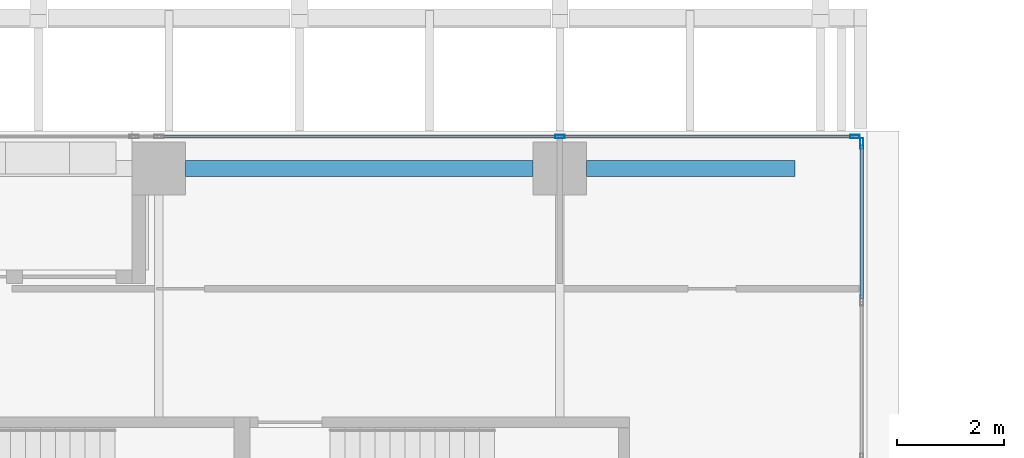
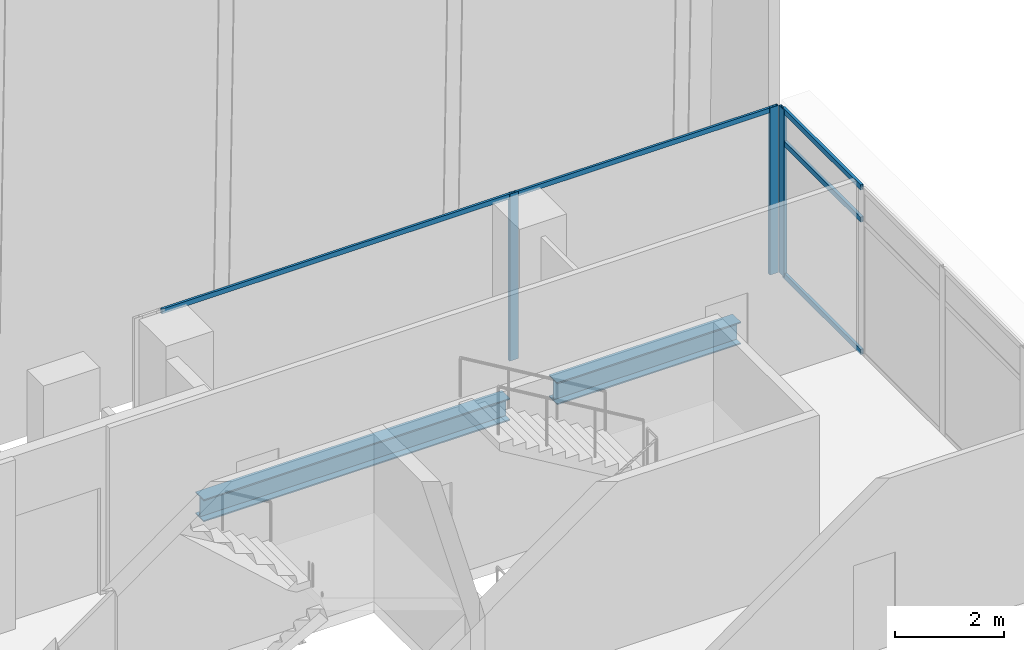
# One storey, part 22 of 40: 8 members, 2 beams, 2 elements without a shape of their own.
"""IFC4 building model written with IfcOpenShell, lengths in metres."""

from ifc_helpers import new_model, si_unit, direction, frame, origin, origin_2d, place, context, subcontext, project, spatial, hollow_rectangle, i_section, extrude, source, transform, mapped, material, material_profile, profile_set, type_object, element, aggregate, save


model = new_model("IFC4")

# Units and contexts
model_context = context("Model", 3, precision=1e-05, world=origin(), true_north=direction((0.0, 1.0)))
body_context = subcontext(model_context, "Body", "Model", "MODEL_VIEW")
ifc_project = project(units=[si_unit("LENGTHUNIT", "METRE"), si_unit("AREAUNIT", "SQUARE_METRE"), si_unit("VOLUMEUNIT", "CUBIC_METRE"), si_unit("PLANEANGLEUNIT", "RADIAN"), si_unit("MASSUNIT", "GRAM", prefix="KILO")], contexts=[model_context])

# Site, building, storey
site_placement = place(None, origin())
site = spatial("IfcSite", under=ifc_project, at=site_placement, CompositionType="ELEMENT")
building_placement = place(site_placement, origin())
building = spatial("IfcBuilding", under=site, at=building_placement, Name="Khomas Fold Tower", CompositionType="ELEMENT")
storey_placement = place(building_placement, frame((0.0, 0.0, 176.699951171875)))
storey = spatial("IfcBuildingStorey", under=building, at=storey_placement, Name="L38", CompositionType="ELEMENT", Elevation=176.699951171875)

# Beams
ifc_material_1 = material(Name="Steel S355", Category="steel")
ifc_material_profile_1 = material_profile(ifc_material_1, i_section(OverallWidth=0.300048828125, OverallDepth=0.5, WebThickness=0.014404296875, FlangeThickness=0.028076171875, at=origin_2d()), Name="HE 500 B")
ifc_profile_set_1 = profile_set([ifc_material_profile_1], Name="Steel S355")
beam_type = type_object("IfcBeamType", Name="HE 500 B spandrel SB3", PredefinedType="SPANDREL", material=ifc_profile_set_1)
shared_shape_1 = source(origin(), body_context, "Body", "SweptSolid", [
    extrude(i_section(OverallWidth=0.300048828125, OverallDepth=0.5, WebThickness=0.014404296875, FlangeThickness=0.028076171875, at=origin_2d()), origin(), (0.0, 0.0, 1.0), 6.5),
])
beam_1_placement = place(storey_placement, frame((20.0, 50.300048828125, -0.5), z_axis=(1.0, 0.0, 0.0), x_axis=(0.0, 1.0, 0.0)))
element("IfcBeam", 1, at=beam_1_placement, inside=storey, type_object=beam_type, Name="SB3", PredefinedType="SPANDREL", context=body_context, shape_type="MappedRepresentation", body=[
    mapped(shared_shape_1, transform((0.0, 0.0, 0.0))),
])
shared_shape_2 = source(origin(), body_context, "Body", "SweptSolid", [
    extrude(i_section(OverallWidth=0.300048828125, OverallDepth=0.5, WebThickness=0.014404296875, FlangeThickness=0.028076171875, at=origin_2d()), origin(), (0.0, 0.0, 1.0), 3.89990234375),
])
beam_2_placement = place(storey_placement, frame((27.5, 50.300048828125, -0.5), z_axis=(1.0, 0.0, 0.0), x_axis=(0.0, 1.0, 0.0)))
element("IfcBeam", 2, at=beam_2_placement, inside=storey, type_object=beam_type, Name="SB3", PredefinedType="SPANDREL", context=body_context, shape_type="MappedRepresentation", body=[
    mapped(shared_shape_2, transform((0.0, 0.0, 0.0))),
])

# Curtain wall, members
ifc_material_2 = material(Name="Aluminium framed double glazing", Category="aluminium")
curtain_wall_type_1 = type_object("IfcCurtainWallType", Name="SK-Unitised clear-glass wall, office floors CW2", PredefinedType="NOTDEFINED", material=ifc_material_2)
curtain_wall_1_placement = place(storey_placement, origin())
curtain_wall_1 = element("IfcCurtainWall", 3, at=curtain_wall_1_placement, inside=storey, type_object=curtain_wall_type_1, Name="CW2 run L38 15-0", PredefinedType="NOTDEFINED")
ifc_material_3 = material(Name="Aluminium", Category="aluminium")
ifc_material_profile_2 = material_profile(ifc_material_3, hollow_rectangle(XDim=0.06005859375, YDim=0.179931640625, WallThickness=0.00390625, at=origin_2d()), Name="SK-Unitised clear-glass wall, office floors mullion CW2-M")
ifc_profile_set_2 = profile_set([ifc_material_profile_2], Name="Aluminium")
member_type_1 = type_object("IfcMemberType", Name="SK-Unitised clear-glass wall, office floors mullion CW2-M", PredefinedType="MULLION", material=ifc_profile_set_2)
shared_shape_3 = source(origin(), body_context, "Body", "SweptSolid", [
    extrude(hollow_rectangle(XDim=0.06005859375, YDim=0.179931640625, WallThickness=0.00390625, at=origin_2d()), origin(), (0.0, 0.0, 1.0), 3.75),
])
member_1_placement = place(storey_placement, frame((32.52001953125, 50.89990234375, 0.0), z_axis=(0.0, 0.0, 1.0), x_axis=(0.0, -1.0, 0.0)))
member_1 = element("IfcMember", 4, at=member_1_placement, type_object=member_type_1, Name="CW2 mullion 1", PredefinedType="MULLION", context=body_context, shape_type="MappedRepresentation", body=[
    mapped(shared_shape_3, transform((0.0, 0.0, 0.0))),
])
member_2_placement = place(storey_placement, frame((27.0, 50.89990234375, 0.0), z_axis=(0.0, 0.0, 1.0), x_axis=(0.0, -1.0, 0.0)))
member_2 = element("IfcMember", 5, at=member_2_placement, type_object=member_type_1, Name="CW2 mullion 2", PredefinedType="MULLION", context=body_context, shape_type="MappedRepresentation", body=[
    mapped(shared_shape_3, transform((0.0, 0.0, 0.0))),
])
ifc_material_4 = material(Name="Aluminium", Category="aluminium")
ifc_material_profile_3 = material_profile(ifc_material_4, hollow_rectangle(XDim=0.050048828125, YDim=0.110107421875, WallThickness=0.00390625, at=origin_2d()), Name="SK-Unitised clear-glass wall, office floors transom CW2-T")
ifc_profile_set_3 = profile_set([ifc_material_profile_3], Name="Aluminium")
member_type_2 = type_object("IfcMemberType", Name="SK-Unitised clear-glass wall, office floors transom CW2-T", PredefinedType="USERDEFINED", material=ifc_profile_set_3)
shared_shape_4 = source(origin(), body_context, "Body", "SweptSolid", [
    extrude(hollow_rectangle(XDim=0.050048828125, YDim=0.110107421875, WallThickness=0.00390625, at=origin_2d()), origin(), (0.0, 0.0, 1.0), 7.43994140625),
])
member_3_placement = place(storey_placement, frame((26.969970703125, 50.89990234375, 3.695068359375), z_axis=(-1.0, 0.0, 0.0), x_axis=(0.0, -1.0, 0.0)))
member_3 = element("IfcMember", 6, at=member_3_placement, type_object=member_type_2, Name="CW2 transom 2", ObjectType="TRANSOM", PredefinedType="USERDEFINED", context=body_context, shape_type="MappedRepresentation", body=[
    mapped(shared_shape_4, transform((0.0, 0.0, 0.0))),
])
shared_shape_5 = source(origin(), body_context, "Body", "SweptSolid", [
    extrude(hollow_rectangle(XDim=0.050048828125, YDim=0.110107421875, WallThickness=0.00390625, at=origin_2d()), origin(), (0.0, 0.0, 1.0), 5.4599609375),
])
member_4_placement = place(storey_placement, frame((32.489990234375, 50.89990234375, 3.695068359375), z_axis=(-1.0, 0.0, 0.0), x_axis=(0.0, -1.0, 0.0)))
member_4 = element("IfcMember", 7, at=member_4_placement, type_object=member_type_2, Name="CW2 transom 1", ObjectType="TRANSOM", PredefinedType="USERDEFINED", context=body_context, shape_type="MappedRepresentation", body=[
    mapped(shared_shape_5, transform((0.0, 0.0, 0.0))),
])
aggregate(curtain_wall_1, [member_1, member_2, member_4, member_3])

ifc_material_5 = material(Name="Aluminium framed double glazing", Category="aluminium")
curtain_wall_type_2 = type_object("IfcCurtainWallType", Name="Notch glazing GN-CW", PredefinedType="NOTDEFINED", material=ifc_material_5)
curtain_wall_2_placement = place(storey_placement, origin())
curtain_wall_2 = element("IfcCurtainWall", 8, at=curtain_wall_2_placement, inside=storey, type_object=curtain_wall_type_2, Name="Notch glazing run", PredefinedType="NOTDEFINED")
ifc_material_6 = material(Name="Aluminium", Category="aluminium")
ifc_material_profile_4 = material_profile(ifc_material_6, hollow_rectangle(XDim=0.06005859375, YDim=0.1201171875, WallThickness=0.00390625, at=origin_2d()), Name="Notch glazing transom GN-CW-T")
ifc_profile_set_4 = profile_set([ifc_material_profile_4], Name="Aluminium")
member_type_3 = type_object("IfcMemberType", Name="Notch glazing transom GN-CW-T", PredefinedType="USERDEFINED", material=ifc_profile_set_4)
shared_shape_6 = source(origin(), body_context, "Body", "SweptSolid", [
    extrude(hollow_rectangle(XDim=0.06005859375, YDim=0.1201171875, WallThickness=0.00390625, at=origin_2d()), origin(), (0.0, 0.0, 1.0), 2.876708984375),
])
member_5_placement = place(storey_placement, frame((32.64990234375, 47.86328125, 0.030029296875), z_axis=(0.0, 1.0, 0.0), x_axis=(-1.0, 0.0, 0.0)))
member_5 = element("IfcMember", 9, at=member_5_placement, type_object=member_type_3, Name="GN-CW transom 6.1", ObjectType="TRANSOM", PredefinedType="USERDEFINED", context=body_context, shape_type="MappedRepresentation", body=[
    mapped(shared_shape_6, transform((0.0, 0.0, 0.0))),
])
member_6_placement = place(storey_placement, frame((32.64990234375, 47.86328125, 3.0), z_axis=(0.0, 1.0, 0.0), x_axis=(-1.0, 0.0, 0.0)))
member_6 = element("IfcMember", 10, at=member_6_placement, type_object=member_type_3, Name="GN-CW transom 6.2", ObjectType="TRANSOM", PredefinedType="USERDEFINED", context=body_context, shape_type="MappedRepresentation", body=[
    mapped(shared_shape_6, transform((0.0, 0.0, 0.0))),
])
member_7_placement = place(storey_placement, frame((32.64990234375, 47.86328125, 3.719970703125), z_axis=(0.0, 1.0, 0.0), x_axis=(-1.0, 0.0, 0.0)))
member_7 = element("IfcMember", 11, at=member_7_placement, type_object=member_type_3, Name="GN-CW transom 6.3", ObjectType="TRANSOM", PredefinedType="USERDEFINED", context=body_context, shape_type="MappedRepresentation", body=[
    mapped(shared_shape_6, transform((0.0, 0.0, 0.0))),
])
ifc_material_7 = material(Name="Aluminium", Category="aluminium")
ifc_material_profile_5 = material_profile(ifc_material_7, hollow_rectangle(XDim=0.06005859375, YDim=0.199951171875, WallThickness=0.00390625, at=origin_2d()), Name="Notch glazing mullion GN-CW-M")
ifc_profile_set_5 = profile_set([ifc_material_profile_5], Name="Aluminium")
member_type_4 = type_object("IfcMemberType", Name="Notch glazing mullion GN-CW-M", PredefinedType="MULLION", material=ifc_profile_set_5)
shared_shape_7 = source(origin(), body_context, "Body", "SweptSolid", [
    extrude(hollow_rectangle(XDim=0.06005859375, YDim=0.199951171875, WallThickness=0.00390625, at=origin_2d()), origin(), (0.0, 0.0, 1.0), 3.75),
])
member_8_placement = place(storey_placement, frame((32.64990234375, 50.77001953125, 0.0), z_axis=(0.0, 0.0, 1.0), x_axis=(-1.0, 0.0, 0.0)))
member_8 = element("IfcMember", 12, at=member_8_placement, type_object=member_type_4, Name="GN-CW mullion 7", PredefinedType="MULLION", context=body_context, shape_type="MappedRepresentation", body=[
    mapped(shared_shape_7, transform((0.0, 0.0, 0.0))),
])
aggregate(curtain_wall_2, [member_8, member_5, member_6, member_7])

save(model, "model.ifc")
